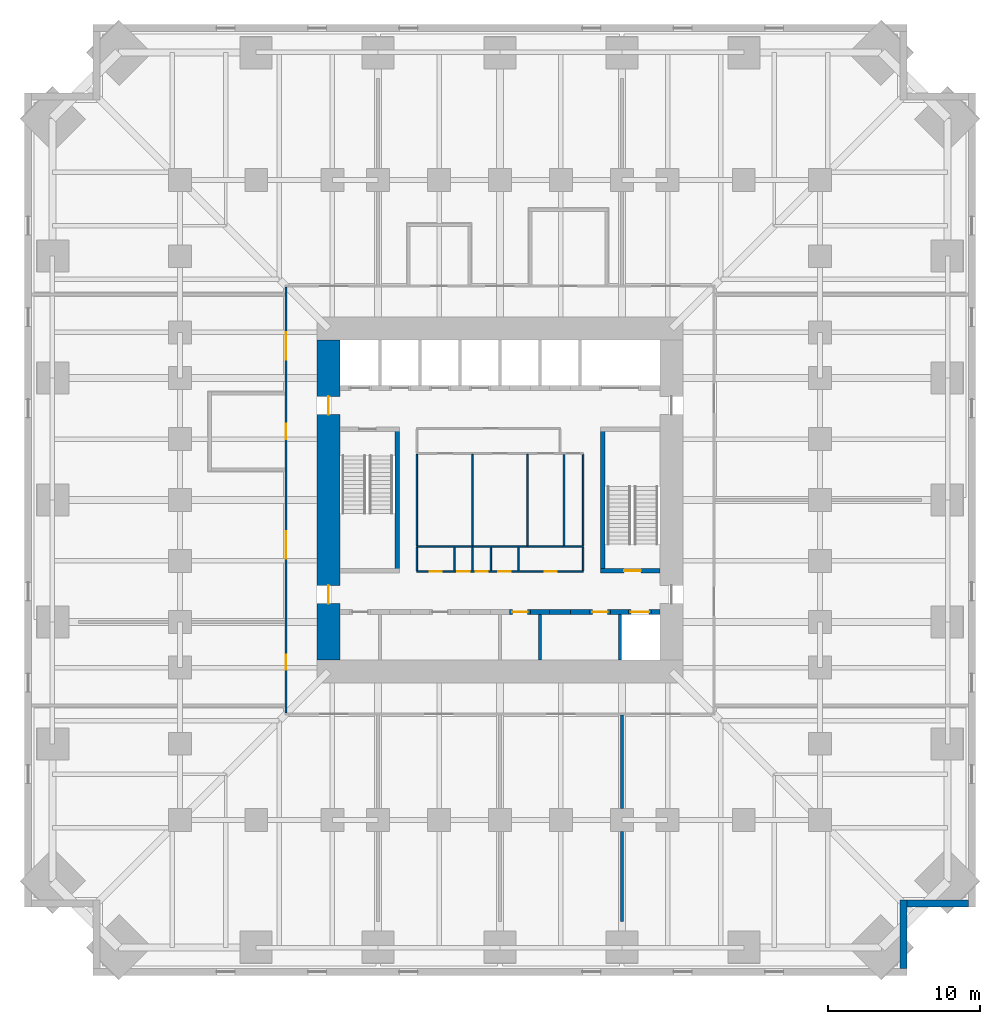
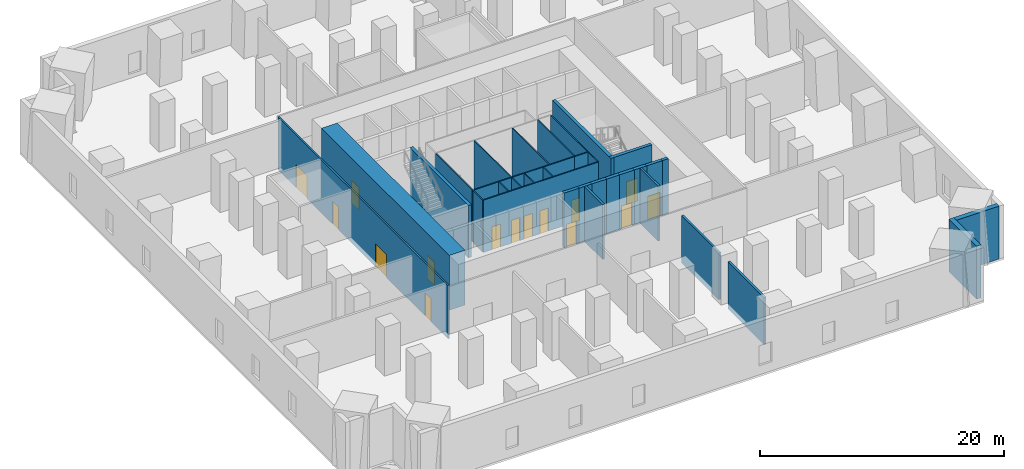
# One storey, part 4 of 8: 33 walls, 15 doors, 15 openings.
"""IFC4 building model written with IfcOpenShell, lengths in metres."""

from ifc_helpers import new_model, si_unit, direction, frame, frame_2d, origin, place, context, subcontext, project, spatial, rectangle, extrude, material, layer, layer_set, type_object, element, fill, save


model = new_model("IFC4")

# Units and contexts
model_context = context("Model", 3, precision=1e-05, world=origin(), true_north=direction((0.0, 1.0)))
body_context = subcontext(model_context, "Body", "Model", "MODEL_VIEW")
ifc_project = project(units=[si_unit("LENGTHUNIT", "METRE"), si_unit("AREAUNIT", "SQUARE_METRE"), si_unit("VOLUMEUNIT", "CUBIC_METRE"), si_unit("PLANEANGLEUNIT", "RADIAN"), si_unit("MASSUNIT", "GRAM", prefix="KILO")], contexts=[model_context])

# Site, building, storey
site_placement = place(None, origin())
site = spatial("IfcSite", under=ifc_project, at=site_placement, CompositionType="ELEMENT")
building_placement = place(site_placement, origin())
building = spatial("IfcBuilding", under=site, at=building_placement, Name="Peilmerk Tower", CompositionType="ELEMENT")
storey_placement = place(building_placement, frame((0.0, 0.0, 37.5)))
storey = spatial("IfcBuildingStorey", under=building, at=storey_placement, Name="L07", CompositionType="ELEMENT", Elevation=37.5)

# Walls
ifc_material_1 = material(Name="Precast concrete C45/55, board-marked finish", Category="concrete")
ifc_layer_1 = layer(ifc_material_1, 0.449951171875)
ifc_layer_set_1 = layer_set([ifc_layer_1], Name="Precast concrete C45/55, board-marked finish")
wall_type_1 = type_object("IfcWallType", Name="EW1 450 precast concrete facade wall, board-marked", PredefinedType="SOLIDWALL", material=ifc_layer_set_1)
wall_1_placement = place(storey_placement, frame((26.47509765625, -26.25, 0.0), z_axis=(0.0, 0.0, 1.0), x_axis=(0.0, -1.0, 0.0)))
element("IfcWall", 1, at=wall_1_placement, inside=storey, type_object=wall_type_1, Name="Facade wall SEA L07", PredefinedType="SOLIDWALL", context=body_context, shape_type="SweptSolid", body=[
    extrude(rectangle(XDim=4.5, YDim=0.449951171875, at=frame_2d((2.25, 0.0))), origin(), (0.0, 0.0, 1.0), 5.300048828125),
])
wall_2_placement = place(storey_placement, frame((26.699951171875, -26.47509765625, 0.0), z_axis=(0.0, 0.0, 1.0), x_axis=(1.0, 0.0, 0.0)))
element("IfcWall", 2, at=wall_2_placement, inside=storey, type_object=wall_type_1, Name="Facade wall SEB L07", PredefinedType="SOLIDWALL", context=body_context, shape_type="SweptSolid", body=[
    extrude(rectangle(XDim=4.050048828125, YDim=0.449951171875, at=frame_2d((2.02490234375, 0.0))), origin(), (0.0, 0.0, 1.0), 5.300048828125),
])

# Wall, openings, doors
ifc_material_2 = material(Name="Calcium silicate block", Category="masonry")
ifc_layer_2 = layer(ifc_material_2, 0.14990234375)
ifc_layer_set_2 = layer_set([ifc_layer_2], Name="Calcium silicate block")
wall_type_2 = type_object("IfcWallType", Name="IW1 150 corridor partition, EI 60", PredefinedType="PARTITIONING", material=ifc_layer_set_2)
wall_3_placement = place(storey_placement, frame((-14.050048828125, 13.97509765625, 0.0), z_axis=(0.0, 0.0, 1.0), x_axis=(0.0, -1.0, 0.0)))
wall_3 = element("IfcWall", 3, at=wall_3_placement, inside=storey, type_object=wall_type_2, Name="Corridor wall W L07", PredefinedType="PARTITIONING", context=body_context, shape_type="SweptSolid", body=[
    extrude(rectangle(XDim=27.9501953125, YDim=0.14990234375, at=frame_2d((13.97509765625, 0.0))), origin(), (0.0, 0.0, 1.0), 5.300048828125),
])
opening_1_placement = place(wall_3_placement, frame((24.125, 0.0, 0.0)))
opening_1 = element("IfcOpeningElement", 4, at=opening_1_placement, cuts=wall_3, Name="Opening D1", PredefinedType="OPENING", context=body_context, shape_type="SweptSolid", body=[
    extrude(rectangle(XDim=1.0, YDim=2.300048828125, at=frame_2d((0.5, 1.14990234375))), frame((0.0, 0.0849609375, 0.0), z_axis=(0.0, -1.0, 0.0), x_axis=(1.0, 0.0, 0.0)), (0.0, 0.0, 1.0), 0.169921875),
])
opening_2_placement = place(wall_3_placement, frame((16.02490234375, 0.0, 0.0)))
opening_2 = element("IfcOpeningElement", 5, at=opening_2_placement, cuts=wall_3, Name="Opening D2", PredefinedType="OPENING", context=body_context, shape_type="SweptSolid", body=[
    extrude(rectangle(XDim=1.800048828125, YDim=2.300048828125, at=frame_2d((0.89990234375, 1.14990234375))), frame((0.0, 0.0849609375, 0.0), z_axis=(0.0, -1.0, 0.0), x_axis=(1.0, 0.0, 0.0)), (0.0, 0.0, 1.0), 0.169921875),
])
opening_3_placement = place(wall_3_placement, frame((2.97509765625, 0.0, 0.0)))
opening_3 = element("IfcOpeningElement", 6, at=opening_3_placement, cuts=wall_3, Name="Opening D2", PredefinedType="OPENING", context=body_context, shape_type="SweptSolid", body=[
    extrude(rectangle(XDim=1.800048828125, YDim=2.300048828125, at=frame_2d((0.89990234375, 1.14990234375))), frame((0.0, 0.0849609375, 0.0), z_axis=(0.0, -1.0, 0.0), x_axis=(1.0, 0.0, 0.0)), (0.0, 0.0, 1.0), 0.169921875),
])
opening_4_placement = place(wall_3_placement, frame((8.97509765625, 0.0, 0.0)))
opening_4 = element("IfcOpeningElement", 7, at=opening_4_placement, cuts=wall_3, Name="Opening D1", PredefinedType="OPENING", context=body_context, shape_type="SweptSolid", body=[
    extrude(rectangle(XDim=1.0, YDim=2.300048828125, at=frame_2d((0.5, 1.14990234375))), frame((0.0, 0.0849609375, 0.0), z_axis=(0.0, -1.0, 0.0), x_axis=(1.0, 0.0, 0.0)), (0.0, 0.0, 1.0), 0.169921875),
])
ifc_material_3 = material(Name="Timber door in steel frame", Category="steel")
door_type_1 = type_object("IfcDoorType", Name="D1 1000x2300 room door, EI2 30", OperationType="SINGLE_SWING_LEFT", PredefinedType="DOOR", material=ifc_material_3)
door_1_placement = place(opening_1_placement, frame((1.0, 0.0, 0.0), z_axis=(0.0, 0.0, 1.0), x_axis=(-1.0, 0.0, 0.0)))
door_1 = element("IfcDoor", 8, at=door_1_placement, inside=storey, type_object=door_type_1, Name="Door Splicing room L07", OperationType="SINGLE_SWING_LEFT", OverallHeight=2.300048828125, OverallWidth=1.0, PredefinedType="DOOR", context=body_context, shape_type="SweptSolid", body=[
    extrude(rectangle(XDim=1.0, YDim=2.300048828125, at=frame_2d((0.5, 1.14990234375))), frame((0.0, 0.02490234375, 0.0), z_axis=(0.0, -1.0, 0.0), x_axis=(1.0, 0.0, 0.0)), (0.0, 0.0, 1.0), 0.050048828125),
])
fill(opening_1, door_1)
door_2_placement = place(opening_4_placement, frame((1.0, 0.0, 0.0), z_axis=(0.0, 0.0, 1.0), x_axis=(-1.0, 0.0, 0.0)))
door_2 = element("IfcDoor", 9, at=door_2_placement, inside=storey, type_object=door_type_1, Name="Door Customer meeting room L07", OperationType="SINGLE_SWING_LEFT", OverallHeight=2.300048828125, OverallWidth=1.0, PredefinedType="DOOR", context=body_context, shape_type="SweptSolid", body=[
    extrude(rectangle(XDim=1.0, YDim=2.300048828125, at=frame_2d((0.5, 1.14990234375))), frame((0.0, 0.02490234375, 0.0), z_axis=(0.0, -1.0, 0.0), x_axis=(1.0, 0.0, 0.0)), (0.0, 0.0, 1.0), 0.050048828125),
])
fill(opening_4, door_2)
ifc_material_4 = material(Name="Steel door in steel frame", Category="steel")
door_type_2 = type_object("IfcDoorType", Name="D2 1800x2300 double door, EI2 60", OperationType="DOUBLE_DOOR_DOUBLE_SWING", PredefinedType="DOOR", material=ifc_material_4)
door_3_placement = place(opening_2_placement, frame((1.800048828125, 0.0, 0.0), z_axis=(0.0, 0.0, 1.0), x_axis=(-1.0, 0.0, 0.0)))
door_3 = element("IfcDoor", 10, at=door_3_placement, inside=storey, type_object=door_type_2, Name="Door Fibre distribution room L07", OperationType="DOUBLE_DOOR_DOUBLE_SWING", OverallHeight=2.300048828125, OverallWidth=1.800048828125, PredefinedType="DOOR", context=body_context, shape_type="SweptSolid", body=[
    extrude(rectangle(XDim=1.800048828125, YDim=2.300048828125, at=frame_2d((0.89990234375, 1.14990234375))), frame((0.0, 0.02490234375, 0.0), z_axis=(0.0, -1.0, 0.0), x_axis=(1.0, 0.0, 0.0)), (0.0, 0.0, 1.0), 0.050048828125),
])
fill(opening_2, door_3)
door_4_placement = place(opening_3_placement, frame((1.800048828125, 0.0, 0.0), z_axis=(0.0, 0.0, 1.0), x_axis=(-1.0, 0.0, 0.0)))
door_4 = element("IfcDoor", 11, at=door_4_placement, inside=storey, type_object=door_type_2, Name="Door Fibre distribution room L07", OperationType="DOUBLE_DOOR_DOUBLE_SWING", OverallHeight=2.300048828125, OverallWidth=1.800048828125, PredefinedType="DOOR", context=body_context, shape_type="SweptSolid", body=[
    extrude(rectangle(XDim=1.800048828125, YDim=2.300048828125, at=frame_2d((0.89990234375, 1.14990234375))), frame((0.0, 0.02490234375, 0.0), z_axis=(0.0, -1.0, 0.0), x_axis=(1.0, 0.0, 0.0)), (0.0, 0.0, 1.0), 0.050048828125),
])
fill(opening_3, door_4)

# Walls
ifc_layer_3 = layer(ifc_material_2, 0.199951171875)
ifc_layer_set_3 = layer_set([ifc_layer_3], Name="Calcium silicate block")
wall_type_3 = type_object("IfcWallType", Name="IW2 200 room separating wall, EI 120", PredefinedType="PARTITIONING", material=ifc_layer_set_3)
wall_4_placement = place(storey_placement, frame((8.0, -14.125, 0.0), z_axis=(0.0, 0.0, 1.0), x_axis=(0.0, -1.0, 0.0)))
element("IfcWall", 12, at=wall_4_placement, inside=storey, type_object=wall_type_3, Name="Room separating wall S3 L07", PredefinedType="PARTITIONING", context=body_context, shape_type="SweptSolid", body=[
    extrude(rectangle(XDim=6.125, YDim=0.199951171875, at=frame_2d((3.0625, 0.0))), origin(), (0.0, 0.0, 1.0), 4.73095703125),
])
wall_5_placement = place(storey_placement, frame((8.0, -21.75, 0.0), z_axis=(0.0, 0.0, 1.0), x_axis=(0.0, -1.0, 0.0)))
element("IfcWall", 13, at=wall_5_placement, inside=storey, type_object=wall_type_3, Name="Room separating wall S3b L07", PredefinedType="PARTITIONING", context=body_context, shape_type="SweptSolid", body=[
    extrude(rectangle(XDim=5.927978515625, YDim=0.199951171875, at=frame_2d((2.9638671875, 0.0))), origin(), (0.0, 0.0, 1.0), 4.73095703125),
])
ifc_material_5 = material(Name="Concrete C35/45", Category="concrete")
ifc_layer_4 = layer(ifc_material_5, 0.300048828125)
ifc_layer_set_4 = layer_set([ifc_layer_4], Name="Concrete C35/45")
wall_type_4 = type_object("IfcWallType", Name="IW3 300 concrete stair enclosure wall, EI 120", PredefinedType="SOLIDWALL", material=ifc_layer_set_4)
for number, where, z_axis, x_axis, name in (
    (14, (-6.75, -4.800048828125, 0.0), (0.0, 0.0, 1.0), (0.0, 1.0, 0.0), "Stair 1 enclosure L07"),
    (15, (6.75, -4.800048828125, 0.0), (0.0, 0.0, 1.0), (0.0, 1.0, 0.0), "Stair 2 enclosure L07"),
):
    element("IfcWall", number, at=place(storey_placement, frame(where, z_axis=z_axis, x_axis=x_axis)), inside=storey, type_object=wall_type_4, Name=name, PredefinedType="SOLIDWALL", context=body_context, shape_type="SweptSolid", body=[
        extrude(rectangle(XDim=9.60009765625, YDim=0.300048828125, at=frame_2d((4.800048828125, 0.0))), origin(), (0.0, 0.0, 1.0), 5.25),
    ])

# Wall, opening, door
wall_6_placement = place(storey_placement, frame((10.5, -4.64990234375, 0.0), z_axis=(0.0, 0.0, 1.0), x_axis=(-1.0, 0.0, 0.0)))
wall_6 = element("IfcWall", 16, at=wall_6_placement, inside=storey, type_object=wall_type_4, Name="Stair 2 enclosure L07", PredefinedType="SOLIDWALL", context=body_context, shape_type="SweptSolid", body=[
    extrude(rectangle(XDim=3.89990234375, YDim=0.300048828125, at=frame_2d((1.949951171875, 0.0))), origin(), (0.0, 0.0, 1.0), 5.25),
])
opening_5_placement = place(wall_6_placement, frame((1.25, 0.0, 0.0)))
opening_5 = element("IfcOpeningElement", 17, at=opening_5_placement, cuts=wall_6, Name="Opening D4", PredefinedType="OPENING", context=body_context, shape_type="SweptSolid", body=[
    extrude(rectangle(XDim=1.10009765625, YDim=2.300048828125, at=frame_2d((0.550048828125, 1.14990234375))), frame((0.0, 0.159912109375, 0.0), z_axis=(0.0, -1.0, 0.0), x_axis=(1.0, 0.0, 0.0)), (0.0, 0.0, 1.0), 0.320068359375),
])
door_type_3 = type_object("IfcDoorType", Name="D4 1100x2300 stair door, EI2 60", OperationType="SINGLE_SWING_RIGHT", PredefinedType="DOOR", material=ifc_material_4)
door_5_placement = place(opening_5_placement, frame((1.10009765625, 0.0, 0.0), z_axis=(0.0, 0.0, 1.0), x_axis=(-1.0, 0.0, 0.0)))
door_5 = element("IfcDoor", 18, at=door_5_placement, inside=storey, type_object=door_type_3, Name="Stair 2 door L07", OperationType="SINGLE_SWING_RIGHT", OverallHeight=2.300048828125, OverallWidth=1.10009765625, PredefinedType="DOOR", context=body_context, shape_type="SweptSolid", body=[
    extrude(rectangle(XDim=1.10009765625, YDim=2.300048828125, at=frame_2d((0.550048828125, 1.14990234375))), frame((0.0, 0.02490234375, 0.0), z_axis=(0.0, -1.0, 0.0), x_axis=(1.0, 0.0, 0.0)), (0.0, 0.0, 1.0), 0.050048828125),
])
fill(opening_5, door_5)

# Walls
ifc_material_6 = material(Name="Plasterboard on steel studs", Category="steel")
ifc_layer_5 = layer(ifc_material_6, 0.10009765625)
ifc_layer_set_5 = layer_set([ifc_layer_5], Name="Plasterboard on steel studs")
wall_type_5 = type_object("IfcWallType", Name="IW4 100 WC partition", PredefinedType="PARTITIONING", material=ifc_layer_set_5)
wall_7_placement = place(storey_placement, frame((4.14990234375, -3.050048828125, 0.0), z_axis=(0.0, 0.0, 1.0), x_axis=(-1.0, 0.0, 0.0)))
element("IfcWall", 19, at=wall_7_placement, inside=storey, type_object=wall_type_5, Name="WC wall L07", PredefinedType="PARTITIONING", context=body_context, shape_type="SweptSolid", body=[
    extrude(rectangle(XDim=9.599853515625, YDim=0.10009765625, at=frame_2d((4.7998046875, 0.0))), origin(), (0.0, 0.0, 1.0), 5.25),
])
for number, where, z_axis, x_axis, name in (
    (20, (-5.449951171875, -3.0, 0.0), (0.0, 0.0, 1.0), (0.0, 1.0, 0.0), "WC wall L07"),
    (21, (-1.800048828125, -3.0, 0.0), (0.0, 0.0, 1.0), (0.0, 1.0, 0.0), "WC wall L07"),
    (22, (1.800048828125, -3.0, 0.0), (0.0, 0.0, 1.0), (0.0, 1.0, 0.0), "WC wall L07"),
):
    element("IfcWall", number, at=place(storey_placement, frame(where, z_axis=z_axis, x_axis=x_axis)), inside=storey, type_object=wall_type_5, Name=name, PredefinedType="PARTITIONING", context=body_context, shape_type="SweptSolid", body=[
        extrude(rectangle(XDim=6.0, YDim=0.10009765625, at=frame_2d((3.0, 0.0))), origin(), (0.0, 0.0, 1.0), 5.25),
    ])
ifc_material_7 = material(Name="Calcium silicate board on steel studs", Category="steel")
ifc_layer_6 = layer(ifc_material_7, 0.10009765625)
ifc_layer_set_6 = layer_set([ifc_layer_6], Name="Calcium silicate board on steel studs")
wall_type_6 = type_object("IfcWallType", Name="IW5 100 riser enclosure wall, EI 60", PredefinedType="PARTITIONING", material=ifc_layer_set_6)
wall_8_placement = place(storey_placement, frame((5.449951171875, -3.050048828125, 0.0), z_axis=(0.0, 0.0, 1.0), x_axis=(-1.0, 0.0, 0.0)))
element("IfcWall", 23, at=wall_8_placement, inside=storey, type_object=wall_type_6, Name="Riser wall L07", PredefinedType="PARTITIONING", context=body_context, shape_type="SweptSolid", body=[
    extrude(rectangle(XDim=1.300048828125, YDim=0.10009765625, at=frame_2d((0.64990234375, 0.0))), origin(), (0.0, 0.0, 1.0), 5.25),
])
for number, where, z_axis, x_axis, name in (
    (24, (5.449951171875, 3.0, 0.0), (0.0, 0.0, 1.0), (0.0, -1.0, 0.0), "Riser wall L07"),
    (25, (4.199951171875, -3.0, 0.0), (0.0, 0.0, 1.0), (0.0, 1.0, 0.0), "Riser wall L07"),
):
    element("IfcWall", number, at=place(storey_placement, frame(where, z_axis=z_axis, x_axis=x_axis)), inside=storey, type_object=wall_type_6, Name=name, PredefinedType="PARTITIONING", context=body_context, shape_type="SweptSolid", body=[
        extrude(rectangle(XDim=6.0, YDim=0.10009765625, at=frame_2d((3.0, 0.0))), origin(), (0.0, 0.0, 1.0), 5.25),
    ])

# Wall, openings, doors
wall_9_placement = place(storey_placement, frame((5.449951171875, -4.699951171875, 0.0), z_axis=(0.0, 0.0, 1.0), x_axis=(-1.0, 0.0, 0.0)))
wall_9 = element("IfcWall", 26, at=wall_9_placement, inside=storey, type_object=wall_type_6, Name="Riser wall L07", PredefinedType="PARTITIONING", context=body_context, shape_type="SweptSolid", body=[
    extrude(rectangle(XDim=10.89990234375, YDim=0.10009765625, at=frame_2d((5.449951171875, 0.0))), origin(), (0.0, 0.0, 1.0), 5.25),
])
opening_6_placement = place(wall_9_placement, frame((9.27490234375, 0.0, 0.0)))
opening_6 = element("IfcOpeningElement", 27, at=opening_6_placement, cuts=wall_9, Name="Opening D7", PredefinedType="OPENING", context=body_context, shape_type="SweptSolid", body=[
    extrude(rectangle(XDim=0.800048828125, YDim=2.300048828125, at=frame_2d((0.39990234375, 1.14990234375))), frame((0.0, 0.06005859375, 0.0), z_axis=(0.0, -1.0, 0.0), x_axis=(1.0, 0.0, 0.0)), (0.0, 0.0, 1.0), 0.1201171875),
])
opening_7_placement = place(wall_9_placement, frame((7.449951171875, 0.0, 0.0)))
opening_7 = element("IfcOpeningElement", 28, at=opening_7_placement, cuts=wall_9, Name="Opening D7", PredefinedType="OPENING", context=body_context, shape_type="SweptSolid", body=[
    extrude(rectangle(XDim=0.800048828125, YDim=2.300048828125, at=frame_2d((0.39990234375, 1.14990234375))), frame((0.0, 0.06005859375, 0.0), z_axis=(0.0, -1.0, 0.0), x_axis=(1.0, 0.0, 0.0)), (0.0, 0.0, 1.0), 0.1201171875),
])
opening_8_placement = place(wall_9_placement, frame((6.25, 0.0, 0.0)))
opening_8 = element("IfcOpeningElement", 29, at=opening_8_placement, cuts=wall_9, Name="Opening D7", PredefinedType="OPENING", context=body_context, shape_type="SweptSolid", body=[
    extrude(rectangle(XDim=0.800048828125, YDim=2.300048828125, at=frame_2d((0.39990234375, 1.14990234375))), frame((0.0, 0.06005859375, 0.0), z_axis=(0.0, -1.0, 0.0), x_axis=(1.0, 0.0, 0.0)), (0.0, 0.0, 1.0), 0.1201171875),
])
opening_9_placement = place(wall_9_placement, frame((4.75, 0.0, 0.0)))
opening_9 = element("IfcOpeningElement", 30, at=opening_9_placement, cuts=wall_9, Name="Opening D7", PredefinedType="OPENING", context=body_context, shape_type="SweptSolid", body=[
    extrude(rectangle(XDim=0.800048828125, YDim=2.300048828125, at=frame_2d((0.39990234375, 1.14990234375))), frame((0.0, 0.06005859375, 0.0), z_axis=(0.0, -1.0, 0.0), x_axis=(1.0, 0.0, 0.0)), (0.0, 0.0, 1.0), 0.1201171875),
])
opening_10_placement = place(wall_9_placement, frame((1.72509765625, 0.0, 0.0)))
opening_10 = element("IfcOpeningElement", 31, at=opening_10_placement, cuts=wall_9, Name="Opening D7", PredefinedType="OPENING", context=body_context, shape_type="SweptSolid", body=[
    extrude(rectangle(XDim=0.800048828125, YDim=2.300048828125, at=frame_2d((0.39990234375, 1.14990234375))), frame((0.0, 0.06005859375, 0.0), z_axis=(0.0, -1.0, 0.0), x_axis=(1.0, 0.0, 0.0)), (0.0, 0.0, 1.0), 0.1201171875),
])
door_type_4 = type_object("IfcDoorType", Name="D7 800x2300 riser access door, EI2 60", OperationType="SINGLE_SWING_RIGHT", PredefinedType="DOOR", material=ifc_material_4)
door_6_placement = place(opening_6_placement, frame((0.800048828125, 0.0, 0.0), z_axis=(0.0, 0.0, 1.0), x_axis=(-1.0, 0.0, 0.0)))
door_6 = element("IfcDoor", 32, at=door_6_placement, inside=storey, type_object=door_type_4, Name="Electrical room door L07", OperationType="SINGLE_SWING_RIGHT", OverallHeight=2.300048828125, OverallWidth=0.800048828125, PredefinedType="DOOR", context=body_context, shape_type="SweptSolid", body=[
    extrude(rectangle(XDim=0.800048828125, YDim=2.300048828125, at=frame_2d((0.39990234375, 1.14990234375))), frame((0.0, 0.02490234375, 0.0), z_axis=(0.0, -1.0, 0.0), x_axis=(1.0, 0.0, 0.0)), (0.0, 0.0, 1.0), 0.050048828125),
])
fill(opening_6, door_6)
door_7_placement = place(opening_7_placement, frame((0.800048828125, 0.0, 0.0), z_axis=(0.0, 0.0, 1.0), x_axis=(-1.0, 0.0, 0.0)))
door_7 = element("IfcDoor", 33, at=door_7_placement, inside=storey, type_object=door_type_4, Name="Electrical riser door L07", OperationType="SINGLE_SWING_RIGHT", OverallHeight=2.300048828125, OverallWidth=0.800048828125, PredefinedType="DOOR", context=body_context, shape_type="SweptSolid", body=[
    extrude(rectangle(XDim=0.800048828125, YDim=2.300048828125, at=frame_2d((0.39990234375, 1.14990234375))), frame((0.0, 0.02490234375, 0.0), z_axis=(0.0, -1.0, 0.0), x_axis=(1.0, 0.0, 0.0)), (0.0, 0.0, 1.0), 0.050048828125),
])
fill(opening_7, door_7)
door_8_placement = place(opening_8_placement, frame((0.800048828125, 0.0, 0.0), z_axis=(0.0, 0.0, 1.0), x_axis=(-1.0, 0.0, 0.0)))
door_8 = element("IfcDoor", 34, at=door_8_placement, inside=storey, type_object=door_type_4, Name="Data riser door L07", OperationType="SINGLE_SWING_RIGHT", OverallHeight=2.300048828125, OverallWidth=0.800048828125, PredefinedType="DOOR", context=body_context, shape_type="SweptSolid", body=[
    extrude(rectangle(XDim=0.800048828125, YDim=2.300048828125, at=frame_2d((0.39990234375, 1.14990234375))), frame((0.0, 0.02490234375, 0.0), z_axis=(0.0, -1.0, 0.0), x_axis=(1.0, 0.0, 0.0)), (0.0, 0.0, 1.0), 0.050048828125),
])
fill(opening_8, door_8)
door_9_placement = place(opening_9_placement, frame((0.800048828125, 0.0, 0.0), z_axis=(0.0, 0.0, 1.0), x_axis=(-1.0, 0.0, 0.0)))
door_9 = element("IfcDoor", 35, at=door_9_placement, inside=storey, type_object=door_type_4, Name="Cleaner's cupboard door L07", OperationType="SINGLE_SWING_RIGHT", OverallHeight=2.300048828125, OverallWidth=0.800048828125, PredefinedType="DOOR", context=body_context, shape_type="SweptSolid", body=[
    extrude(rectangle(XDim=0.800048828125, YDim=2.300048828125, at=frame_2d((0.39990234375, 1.14990234375))), frame((0.0, 0.02490234375, 0.0), z_axis=(0.0, -1.0, 0.0), x_axis=(1.0, 0.0, 0.0)), (0.0, 0.0, 1.0), 0.050048828125),
])
fill(opening_9, door_9)
door_10_placement = place(opening_10_placement, frame((0.800048828125, 0.0, 0.0), z_axis=(0.0, 0.0, 1.0), x_axis=(-1.0, 0.0, 0.0)))
door_10 = element("IfcDoor", 36, at=door_10_placement, inside=storey, type_object=door_type_4, Name="Comms room door L07", OperationType="SINGLE_SWING_RIGHT", OverallHeight=2.300048828125, OverallWidth=0.800048828125, PredefinedType="DOOR", context=body_context, shape_type="SweptSolid", body=[
    extrude(rectangle(XDim=0.800048828125, YDim=2.300048828125, at=frame_2d((0.39990234375, 1.14990234375))), frame((0.0, 0.02490234375, 0.0), z_axis=(0.0, -1.0, 0.0), x_axis=(1.0, 0.0, 0.0)), (0.0, 0.0, 1.0), 0.050048828125),
])
fill(opening_10, door_10)

# Walls
for number, where, z_axis, x_axis, name in (
    (37, (-5.449951171875, -3.10009765625, 0.0), (0.0, 0.0, 1.0), (0.0, -1.0, 0.0), "Riser wall L07"),
    (38, (5.449951171875, -3.10009765625, 0.0), (0.0, 0.0, 1.0), (0.0, -1.0, 0.0), "Riser wall L07"),
    (39, (-3.0, -3.10009765625, 0.0), (0.0, 0.0, 1.0), (0.0, -1.0, 0.0), "Riser wall L07"),
    (40, (-1.800048828125, -3.10009765625, 0.0), (0.0, 0.0, 1.0), (0.0, -1.0, 0.0), "Riser wall L07"),
    (41, (-0.60009765625, -3.10009765625, 0.0), (0.0, 0.0, 1.0), (0.0, -1.0, 0.0), "Riser wall L07"),
    (42, (1.199951171875, -3.10009765625, 0.0), (0.0, 0.0, 1.0), (0.0, -1.0, 0.0), "Riser wall L07"),
):
    element("IfcWall", number, at=place(storey_placement, frame(where, z_axis=z_axis, x_axis=x_axis)), inside=storey, type_object=wall_type_6, Name=name, PredefinedType="PARTITIONING", context=body_context, shape_type="SweptSolid", body=[
        extrude(rectangle(XDim=1.5498046875, YDim=0.10009765625, at=frame_2d((0.77490234375, 0.0))), origin(), (0.0, 0.0, 1.0), 5.25),
    ])
ifc_layer_7 = layer(ifc_material_2, 0.199951171875)
ifc_layer_set_7 = layer_set([ifc_layer_7], Name="Calcium silicate block")
wall_type_7 = type_object("IfcWallType", Name="SH1 200 shaft dividing wall, EI 120", PredefinedType="PARTITIONING", material=ifc_layer_set_7)
for number, where, z_axis, x_axis, name in (
    (43, (2.625, -10.5, 0.0), (0.0, 0.0, 1.0), (0.0, 1.0, 0.0), "Shaft wall S B3 L07"),
    (44, (7.875, -10.5, 0.0), (0.0, 0.0, 1.0), (0.0, 1.0, 0.0), "Shaft wall S B1 L07"),
):
    element("IfcWall", number, at=place(storey_placement, frame(where, z_axis=z_axis, x_axis=x_axis)), inside=storey, type_object=wall_type_7, Name=name, PredefinedType="PARTITIONING", context=body_context, shape_type="SweptSolid", body=[
        extrude(rectangle(XDim=3.0, YDim=0.199951171875, at=frame_2d((1.5, 0.0))), origin(), (0.0, 0.0, 1.0), 5.5),
    ])

# Wall, opening, door
ifc_layer_8 = layer(ifc_material_2, 0.300048828125)
ifc_layer_set_8 = layer_set([ifc_layer_8], Name="Calcium silicate block")
wall_type_8 = type_object("IfcWallType", Name="SH2 300 lift landing door panel, EI 120", PredefinedType="PARTITIONING", material=ifc_layer_set_8)
wall_10_placement = place(storey_placement, frame((0.612548828125, -7.35009765625, 0.0), z_axis=(0.0, 0.0, 1.0), x_axis=(1.0, 0.0, 0.0)))
wall_10 = element("IfcWall", 45, at=wall_10_placement, inside=storey, type_object=wall_type_8, Name="Lift door panel S B3 L07", PredefinedType="PARTITIONING", context=body_context, shape_type="SweptSolid", body=[
    extrude(rectangle(XDim=1.39990234375, YDim=0.300048828125, at=frame_2d((0.699951171875, 0.0))), origin(), (0.0, 0.0, 1.0), 5.5),
])
opening_11_placement = place(wall_10_placement, frame((0.199951171875, 0.0, 0.0)))
opening_11 = element("IfcOpeningElement", 46, at=opening_11_placement, cuts=wall_10, Name="Opening D10", PredefinedType="OPENING", context=body_context, shape_type="SweptSolid", body=[
    extrude(rectangle(XDim=1.0, YDim=2.300048828125, at=frame_2d((0.5, 1.14990234375))), frame((0.0, 0.159912109375, 0.0), z_axis=(0.0, -1.0, 0.0), x_axis=(1.0, 0.0, 0.0)), (0.0, 0.0, 1.0), 0.320068359375),
])
door_type_5 = type_object("IfcDoorType", Name="D10 1000x2300 core room door, EI2 60", OperationType="SINGLE_SWING_RIGHT", PredefinedType="DOOR", material=ifc_material_4)
door_11_placement = place(opening_11_placement, frame((1.0, 0.0, 0.0), z_axis=(0.0, 0.0, 1.0), x_axis=(-1.0, 0.0, 0.0)))
door_11 = element("IfcDoor", 47, at=door_11_placement, inside=storey, type_object=door_type_5, Name="Door Staff WC L07", OperationType="SINGLE_SWING_RIGHT", OverallHeight=2.300048828125, OverallWidth=1.0, PredefinedType="DOOR", context=body_context, shape_type="SweptSolid", body=[
    extrude(rectangle(XDim=1.0, YDim=2.300048828125, at=frame_2d((0.5, 1.14990234375))), frame((0.0, 0.02490234375, 0.0), z_axis=(0.0, -1.0, 0.0), x_axis=(1.0, 0.0, 0.0)), (0.0, 0.0, 1.0), 0.050048828125),
])
fill(opening_11, door_11)

# Wall
wall_11_placement = place(storey_placement, frame((3.237548828125, -7.35009765625, 0.0), z_axis=(0.0, 0.0, 1.0), x_axis=(1.0, 0.0, 0.0)))
element("IfcWall", 48, at=wall_11_placement, inside=storey, type_object=wall_type_8, Name="Lift door panel S B2 L07", PredefinedType="PARTITIONING", context=body_context, shape_type="SweptSolid", body=[
    extrude(rectangle(XDim=1.39990234375, YDim=0.300048828125, at=frame_2d((0.699951171875, 0.0))), origin(), (0.0, 0.0, 1.0), 5.5),
])

# Wall, opening, door
wall_12_placement = place(storey_placement, frame((5.862548828125, -7.35009765625, 0.0), z_axis=(0.0, 0.0, 1.0), x_axis=(1.0, 0.0, 0.0)))
wall_12 = element("IfcWall", 49, at=wall_12_placement, inside=storey, type_object=wall_type_8, Name="Lift door panel S B1 L07", PredefinedType="PARTITIONING", context=body_context, shape_type="SweptSolid", body=[
    extrude(rectangle(XDim=1.39990234375, YDim=0.300048828125, at=frame_2d((0.699951171875, 0.0))), origin(), (0.0, 0.0, 1.0), 5.5),
])
opening_12_placement = place(wall_12_placement, frame((0.199951171875, 0.0, 0.0)))
opening_12 = element("IfcOpeningElement", 50, at=opening_12_placement, cuts=wall_12, Name="Opening D10", PredefinedType="OPENING", context=body_context, shape_type="SweptSolid", body=[
    extrude(rectangle(XDim=1.0, YDim=2.300048828125, at=frame_2d((0.5, 1.14990234375))), frame((0.0, 0.159912109375, 0.0), z_axis=(0.0, -1.0, 0.0), x_axis=(1.0, 0.0, 0.0)), (0.0, 0.0, 1.0), 0.320068359375),
])
door_12_placement = place(opening_12_placement, frame((1.0, 0.0, 0.0), z_axis=(0.0, 0.0, 1.0), x_axis=(-1.0, 0.0, 0.0)))
door_12 = element("IfcDoor", 51, at=door_12_placement, inside=storey, type_object=door_type_5, Name="Door Waste room L07", OperationType="SINGLE_SWING_RIGHT", OverallHeight=2.300048828125, OverallWidth=1.0, PredefinedType="DOOR", context=body_context, shape_type="SweptSolid", body=[
    extrude(rectangle(XDim=1.0, YDim=2.300048828125, at=frame_2d((0.5, 1.14990234375))), frame((0.0, 0.02490234375, 0.0), z_axis=(0.0, -1.0, 0.0), x_axis=(1.0, 0.0, 0.0)), (0.0, 0.0, 1.0), 0.050048828125),
])
fill(opening_12, door_12)

wall_13_placement = place(storey_placement, frame((8.4375, -7.35009765625, 0.0), z_axis=(0.0, 0.0, 1.0), x_axis=(1.0, 0.0, 0.0)))
wall_13 = element("IfcWall", 52, at=wall_13_placement, inside=storey, type_object=wall_type_8, Name="Lift door panel S FL2 L07", PredefinedType="PARTITIONING", context=body_context, shape_type="SweptSolid", body=[
    extrude(rectangle(XDim=1.5, YDim=0.300048828125, at=frame_2d((0.75, 0.0))), origin(), (0.0, 0.0, 1.0), 5.5),
])
opening_13_placement = place(wall_13_placement, frame((0.14990234375, 0.0, 0.0)))
opening_13 = element("IfcOpeningElement", 53, at=opening_13_placement, cuts=wall_13, Name="Opening LD2", PredefinedType="OPENING", context=body_context, shape_type="SweptSolid", body=[
    extrude(rectangle(XDim=1.199951171875, YDim=2.300048828125, at=frame_2d((0.60009765625, 1.14990234375))), frame((0.0, 0.159912109375, 0.0), z_axis=(0.0, -1.0, 0.0), x_axis=(1.0, 0.0, 0.0)), (0.0, 0.0, 1.0), 0.320068359375),
])
ifc_material_8 = material(Name="Stainless steel landing door", Category="steel")
door_type_6 = type_object("IfcDoorType", Name="LD2 1200x2300 lift landing door, sliding, EI2 60", OperationType="SLIDING_TO_LEFT", PredefinedType="DOOR", material=ifc_material_8)
door_13_placement = place(opening_13_placement, origin())
door_13 = element("IfcDoor", 54, at=door_13_placement, inside=storey, type_object=door_type_6, Name="Lift landing door FL2 L07", OperationType="SLIDING_TO_LEFT", OverallHeight=2.300048828125, OverallWidth=1.199951171875, PredefinedType="DOOR", context=body_context, shape_type="SweptSolid", body=[
    extrude(rectangle(XDim=1.199951171875, YDim=2.300048828125, at=frame_2d((0.60009765625, 1.14990234375))), frame((0.0, 0.02490234375, 0.0), z_axis=(0.0, -1.0, 0.0), x_axis=(1.0, 0.0, 0.0)), (0.0, 0.0, 1.0), 0.050048828125),
])
fill(opening_13, door_13)

# Wall, openings, doors
ifc_material_9 = material(Name="Concrete C55/67", Category="concrete")
ifc_layer_9 = layer(ifc_material_9, 1.5)
ifc_layer_set_9 = layer_set([ifc_layer_9], Name="Concrete C55/67")
wall_type_9 = type_object("IfcWallType", Name="SW1 1500 core wall", PredefinedType="SHEAR", material=ifc_layer_set_9)
wall_14_placement = place(storey_placement, frame((-11.25, -10.5, 0.0), z_axis=(0.0, 0.0, 1.0), x_axis=(0.0, 1.0, 0.0)))
wall_14 = element("IfcWall", 55, at=wall_14_placement, inside=storey, type_object=wall_type_9, Name="Core wall W L07", PredefinedType="SHEAR", context=body_context, shape_type="SweptSolid", body=[
    extrude(rectangle(XDim=21.0, YDim=1.5, at=frame_2d((10.5, 0.0))), origin(), (0.0, 0.0, 1.0), 5.5),
])
opening_14_placement = place(wall_14_placement, frame((16.10009765625, 0.0, 0.0)))
opening_14 = element("IfcOpeningElement", 56, at=opening_14_placement, cuts=wall_14, Name="Opening D3", PredefinedType="OPENING", context=body_context, shape_type="SweptSolid", body=[
    extrude(rectangle(XDim=1.199951171875, YDim=2.300048828125, at=frame_2d((0.60009765625, 1.14990234375))), frame((0.0, 0.760009765625, 0.0), z_axis=(0.0, -1.0, 0.0), x_axis=(1.0, 0.0, 0.0)), (0.0, 0.0, 1.0), 1.52001953125),
])
opening_15_placement = place(wall_14_placement, frame((3.699951171875, 0.0, 0.0)))
opening_15 = element("IfcOpeningElement", 57, at=opening_15_placement, cuts=wall_14, Name="Opening D3", PredefinedType="OPENING", context=body_context, shape_type="SweptSolid", body=[
    extrude(rectangle(XDim=1.199951171875, YDim=2.300048828125, at=frame_2d((0.60009765625, 1.14990234375))), frame((0.0, 0.760009765625, 0.0), z_axis=(0.0, -1.0, 0.0), x_axis=(1.0, 0.0, 0.0)), (0.0, 0.0, 1.0), 1.52001953125),
])
door_type_7 = type_object("IfcDoorType", Name="D3 1200x2300 core door, EI2 60", OperationType="SINGLE_SWING_LEFT", PredefinedType="DOOR", material=ifc_material_4)
door_14_placement = place(opening_14_placement, frame((1.199951171875, 0.0, 0.0), z_axis=(0.0, 0.0, 1.0), x_axis=(-1.0, 0.0, 0.0)))
door_14 = element("IfcDoor", 58, at=door_14_placement, inside=storey, type_object=door_type_7, Name="Core door L07", OperationType="SINGLE_SWING_LEFT", OverallHeight=2.300048828125, OverallWidth=1.199951171875, PredefinedType="DOOR", context=body_context, shape_type="SweptSolid", body=[
    extrude(rectangle(XDim=1.199951171875, YDim=2.300048828125, at=frame_2d((0.60009765625, 1.14990234375))), frame((0.0, 0.02490234375, 0.0), z_axis=(0.0, -1.0, 0.0), x_axis=(1.0, 0.0, 0.0)), (0.0, 0.0, 1.0), 0.050048828125),
])
fill(opening_14, door_14)
door_15_placement = place(opening_15_placement, frame((1.199951171875, 0.0, 0.0), z_axis=(0.0, 0.0, 1.0), x_axis=(-1.0, 0.0, 0.0)))
door_15 = element("IfcDoor", 59, at=door_15_placement, inside=storey, type_object=door_type_7, Name="Core door L07", OperationType="SINGLE_SWING_LEFT", OverallHeight=2.300048828125, OverallWidth=1.199951171875, PredefinedType="DOOR", context=body_context, shape_type="SweptSolid", body=[
    extrude(rectangle(XDim=1.199951171875, YDim=2.300048828125, at=frame_2d((0.60009765625, 1.14990234375))), frame((0.0, 0.02490234375, 0.0), z_axis=(0.0, -1.0, 0.0), x_axis=(1.0, 0.0, 0.0)), (0.0, 0.0, 1.0), 0.050048828125),
])
fill(opening_15, door_15)

# Walls
ifc_layer_10 = layer(ifc_material_9, 0.300048828125)
ifc_layer_set_10 = layer_set([ifc_layer_10], Name="Concrete C55/67")
wall_type_10 = type_object("IfcWallType", Name="SW2 300 lift bank pier", PredefinedType="SHEAR", material=ifc_layer_set_10)
for number, where, z_axis, x_axis, name in (
    (60, (2.012451171875, -7.35009765625, 0.0), (0.0, 0.0, 1.0), (1.0, 0.0, 0.0), "Lift bank pier S L07"),
    (61, (4.637451171875, -7.35009765625, 0.0), (0.0, 0.0, 1.0), (1.0, 0.0, 0.0), "Lift bank pier S L07"),
):
    element("IfcWall", number, at=place(storey_placement, frame(where, z_axis=z_axis, x_axis=x_axis)), inside=storey, type_object=wall_type_10, Name=name, PredefinedType="SHEAR", context=body_context, shape_type="SweptSolid", body=[
        extrude(rectangle(XDim=1.22509765625, YDim=0.300048828125, at=frame_2d((0.612548828125, 0.0))), origin(), (0.0, 0.0, 1.0), 5.5),
    ])
wall_15_placement = place(storey_placement, frame((7.262451171875, -7.35009765625, 0.0), z_axis=(0.0, 0.0, 1.0), x_axis=(1.0, 0.0, 0.0)))
element("IfcWall", 62, at=wall_15_placement, inside=storey, type_object=wall_type_10, Name="Lift bank pier S L07", PredefinedType="SHEAR", context=body_context, shape_type="SweptSolid", body=[
    extrude(rectangle(XDim=1.175048828125, YDim=0.300048828125, at=frame_2d((0.58740234375, 0.0))), origin(), (0.0, 0.0, 1.0), 5.5),
])
wall_16_placement = place(storey_placement, frame((9.9375, -7.35009765625, 0.0), z_axis=(0.0, 0.0, 1.0), x_axis=(1.0, 0.0, 0.0)))
element("IfcWall", 63, at=wall_16_placement, inside=storey, type_object=wall_type_10, Name="Lift bank pier S L07", PredefinedType="SHEAR", context=body_context, shape_type="SweptSolid", body=[
    extrude(rectangle(XDim=0.5625, YDim=0.300048828125, at=frame_2d((0.28125, 0.0))), origin(), (0.0, 0.0, 1.0), 5.5),
])

save(model, "model.ifc")
